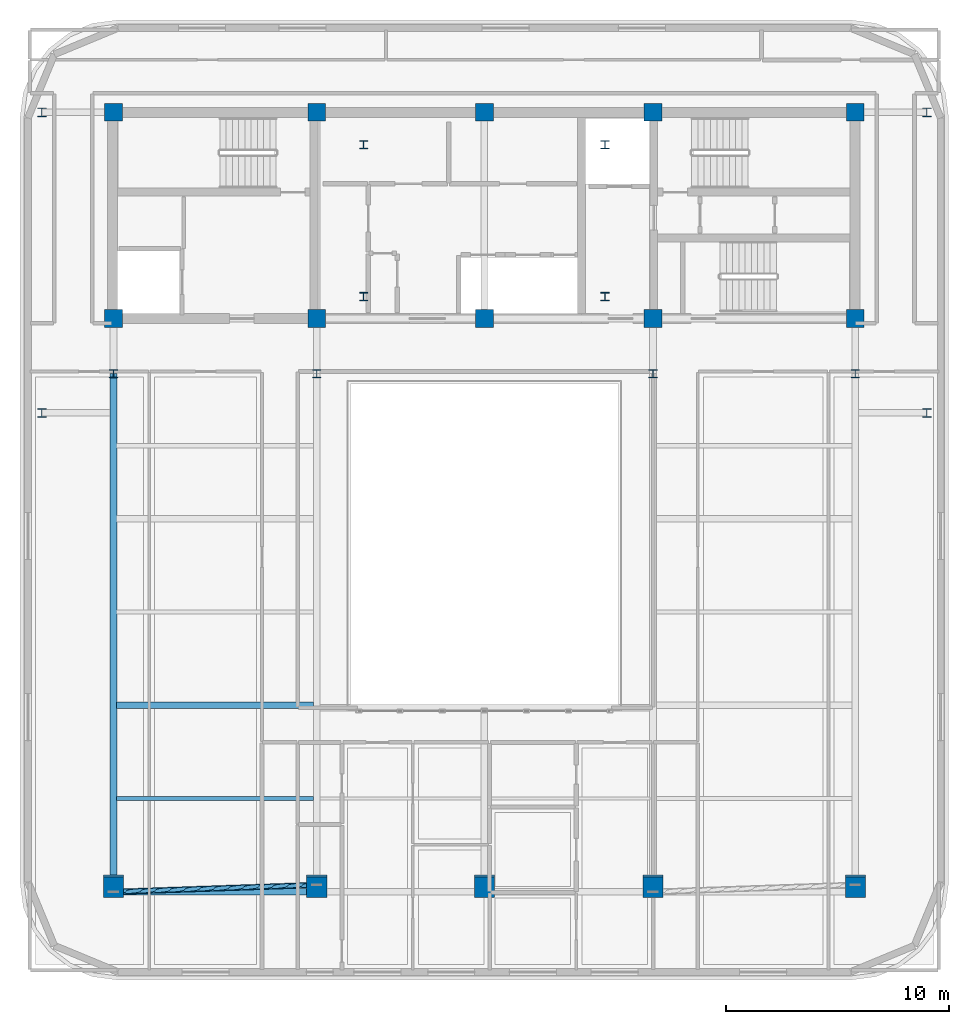
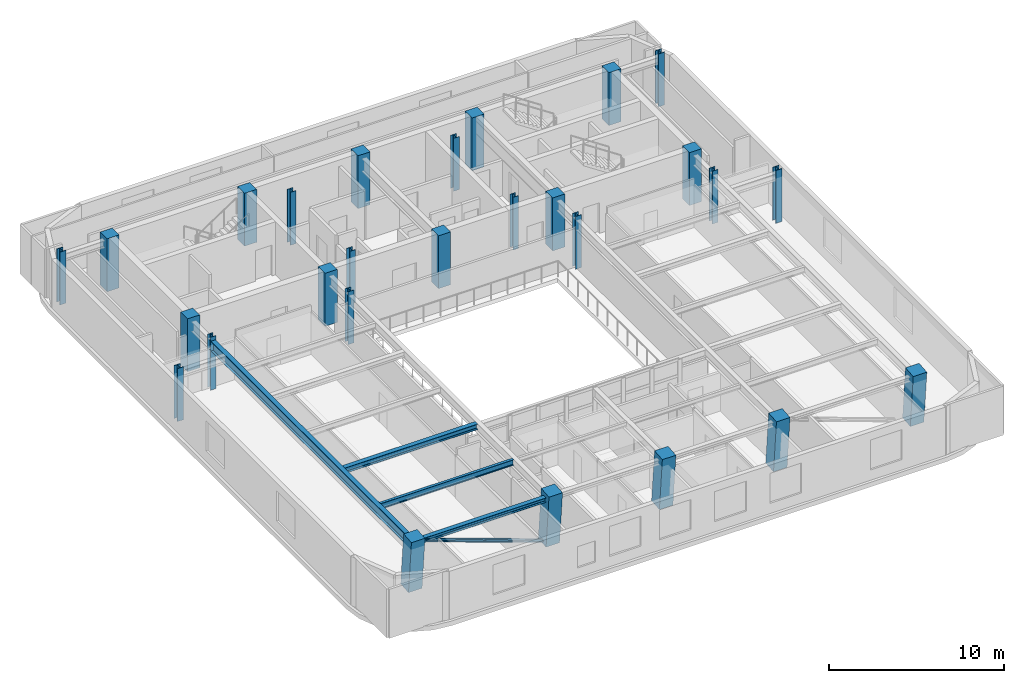
# One storey, part 1 of 11: 27 columns, 4 beams, 1 member.
"""IFC4 building model written with IfcOpenShell, lengths in metres."""

from ifc_helpers import new_model, si_unit, direction, frame, origin, origin_2d, place, context, subcontext, project, spatial, rectangle, hollow_circle, i_section, extrude, material, material_profile, profile_set, type_object, element, save


model = new_model("IFC4")

# Units and contexts
model_context = context("Model", 3, precision=1e-05, world=origin(), true_north=direction((0.0, 1.0)))
body_context = subcontext(model_context, "Body", "Model", "MODEL_VIEW")
ifc_project = project(units=[si_unit("LENGTHUNIT", "METRE"), si_unit("AREAUNIT", "SQUARE_METRE"), si_unit("VOLUMEUNIT", "CUBIC_METRE"), si_unit("PLANEANGLEUNIT", "RADIAN"), si_unit("MASSUNIT", "GRAM", prefix="KILO")], contexts=[model_context])

# Site, building, storey
site_placement = place(None, origin())
site = spatial("IfcSite", under=ifc_project, at=site_placement, CompositionType="ELEMENT")
building_placement = place(site_placement, origin())
building = spatial("IfcBuilding", under=site, at=building_placement, Name="Zarnavel Station Tower", CompositionType="ELEMENT")
storey_placement = place(building_placement, frame((0.0, 0.0, 262.10009765625)))
storey = spatial("IfcBuildingStorey", under=building, at=storey_placement, Name="L71", CompositionType="ELEMENT", Elevation=262.10009765625)

# Columns
ifc_material_1 = material(Name="Steel S355J2", Category="steel")
ifc_material_profile_1 = material_profile(ifc_material_1, i_section(OverallWidth=0.407958984375, OverallDepth=0.39990234375, WebThickness=0.02490234375, FlangeThickness=0.0390625, FilletRadius=0.014892578125, at=origin_2d()), Name="HD400x287")
ifc_profile_set_1 = profile_set([ifc_material_profile_1], Name="Steel S355J2")
column_type_1 = type_object("IfcColumnType", Name="EC_HD287", PredefinedType="COLUMN", material=ifc_profile_set_1)
for number, where, z_axis, x_axis, name in (
    (1, (9.0, 23.60009765625, 0.0), (0.0, 0.0, 1.0), (1.0, 0.0, 0.0), "L71 Inner Wing Spine Column 1-1"),
    (2, (9.0, 37.050048828125, 0.0), (0.0, 0.0, 1.0), (1.0, 0.0, 0.0), "L71 Inner Wing Spine Column 1-2"),
    (3, (48.60009765625, 23.60009765625, 0.0), (0.0, 0.0, 1.0), (1.0, 0.0, 0.0), "L71 Inner Wing Spine Column 2-1"),
    (4, (48.60009765625, 37.050048828125, 0.0), (0.0, 0.0, 1.0), (1.0, 0.0, 0.0), "L71 Inner Wing Spine Column 2-2"),
):
    element("IfcColumn", number, at=place(storey_placement, frame(where, z_axis=z_axis, x_axis=x_axis)), inside=storey, type_object=column_type_1, Name=name, PredefinedType="COLUMN", context=body_context, shape_type="SweptSolid", body=[
        extrude(i_section(OverallWidth=0.407958984375, OverallDepth=0.39990234375, WebThickness=0.02490234375, FlangeThickness=0.0390625, FilletRadius=0.014892578125, at=origin_2d()), origin(), (0.0, 0.0, 1.0), 3.699951171875),
    ])
ifc_material_2 = material(Name="Steel S355J2", Category="steel")
ifc_material_profile_2 = material_profile(ifc_material_2, i_section(OverallWidth=0.3740234375, OverallDepth=0.3720703125, WebThickness=0.0166015625, FlangeThickness=0.027099609375, FilletRadius=0.014892578125, at=origin_2d()), Name="HD360x196")
ifc_profile_set_2 = profile_set([ifc_material_profile_2], Name="Steel S355J2")
column_type_2 = type_object("IfcColumnType", Name="IC_HD196", PredefinedType="COLUMN", material=ifc_profile_set_2)
for number, where, z_axis, x_axis, name in (
    (5, (23.39990234375, 28.800048828125, 0.0), (0.0, 0.0, 1.0), (1.0, 0.0, 0.0), "L71 Mast Spine Column 1"),
    (6, (34.199951171875, 28.800048828125, 0.0), (0.0, 0.0, 1.0), (1.0, 0.0, 0.0), "L71 Mast Spine Column 2"),
    (7, (34.199951171875, 35.60009765625, 0.0), (0.0, 0.0, 1.0), (1.0, 0.0, 0.0), "L71 Mast Spine Column 3"),
    (8, (23.39990234375, 35.60009765625, 0.0), (0.0, 0.0, 1.0), (1.0, 0.0, 0.0), "L71 Mast Spine Column 4"),
    (9, (12.199951171875, 25.35009765625, 0.0), (0.0, 0.0, 1.0), (1.0, 0.0, 0.0), "L71 Inner Spine Column 1"),
    (10, (21.300048828125, 25.35009765625, 0.0), (0.0, 0.0, 1.0), (1.0, 0.0, 0.0), "L71 Inner Spine Column 2"),
    (11, (36.35009765625, 25.35009765625, 0.0), (0.0, 0.0, 1.0), (1.0, 0.0, 0.0), "L71 Inner Spine Column 4"),
    (12, (45.39990234375, 25.35009765625, 0.0), (0.0, 0.0, 1.0), (1.0, 0.0, 0.0), "L71 Inner Spine Column 5"),
):
    element("IfcColumn", number, at=place(storey_placement, frame(where, z_axis=z_axis, x_axis=x_axis)), inside=storey, type_object=column_type_2, Name=name, PredefinedType="COLUMN", context=body_context, shape_type="SweptSolid", body=[
        extrude(i_section(OverallWidth=0.3740234375, OverallDepth=0.3720703125, WebThickness=0.0166015625, FlangeThickness=0.027099609375, FilletRadius=0.014892578125, at=origin_2d()), origin(), (0.0, 0.0, 1.0), 3.699951171875),
    ])
ifc_material_3 = material(Name="Concrete C45/55", Category="concrete")
ifc_material_profile_3 = material_profile(ifc_material_3, rectangle(XDim=0.800048828125, YDim=0.800048828125, at=origin_2d()), Name="RC800x800")
ifc_profile_set_3 = profile_set([ifc_material_profile_3], Name="Concrete C45/55")
column_type_3 = type_object("IfcColumnType", Name="IC_RC800", PredefinedType="COLUMN", material=ifc_profile_set_3)
for number, where, z_axis, x_axis, name in (
    (13, (12.199951171875, 27.820068359375, 0.0), (0.0, 0.0, 1.0), (1.0, 0.0, 0.0), "L71 Core Spine Column 1-1"),
    (14, (12.199951171875, 37.050048828125, 0.0), (0.0, 0.0, 1.0), (1.0, 0.0, 0.0), "L71 Core Spine Column 1-2"),
    (15, (21.300048828125, 27.820068359375, 0.0), (0.0, 0.0, 1.0), (1.0, 0.0, 0.0), "L71 Core Spine Column 2-1"),
    (16, (21.300048828125, 37.050048828125, 0.0), (0.0, 0.0, 1.0), (1.0, 0.0, 0.0), "L71 Core Spine Column 2-2"),
    (17, (28.800048828125, 27.820068359375, 0.0), (0.0, 0.0, 1.0), (1.0, 0.0, 0.0), "L71 Core Spine Column 3-1"),
    (18, (28.800048828125, 37.050048828125, 0.0), (0.0, 0.0, 1.0), (1.0, 0.0, 0.0), "L71 Core Spine Column 3-2"),
    (19, (36.35009765625, 27.820068359375, 0.0), (0.0, 0.0, 1.0), (1.0, 0.0, 0.0), "L71 Core Spine Column 4-1"),
    (20, (36.35009765625, 37.050048828125, 0.0), (0.0, 0.0, 1.0), (1.0, 0.0, 0.0), "L71 Core Spine Column 4-2"),
    (21, (45.39990234375, 27.820068359375, 0.0), (0.0, 0.0, 1.0), (1.0, 0.0, 0.0), "L71 Core Spine Column 5-1"),
    (22, (45.39990234375, 37.050048828125, 0.0), (0.0, 0.0, 1.0), (1.0, 0.0, 0.0), "L71 Core Spine Column 5-2"),
):
    element("IfcColumn", number, at=place(storey_placement, frame(where, z_axis=z_axis, x_axis=x_axis)), inside=storey, type_object=column_type_3, Name=name, PredefinedType="COLUMN", context=body_context, shape_type="SweptSolid", body=[
        extrude(rectangle(XDim=0.800048828125, YDim=0.800048828125, at=origin_2d()), origin(), (0.0, 0.0, 1.0), 3.699951171875),
    ])
ifc_material_4 = material(Name="Concrete C50/60", Category="concrete")
ifc_material_profile_4 = material_profile(ifc_material_4, rectangle(XDim=0.89990234375, YDim=0.89990234375, at=origin_2d()), Name="RC900x900")
ifc_profile_set_4 = profile_set([ifc_material_profile_4], Name="Concrete C50/60")
column_type_4 = type_object("IfcColumnType", Name="MC_RC900", PredefinedType="COLUMN", material=ifc_profile_set_4)
for number, where, z_axis, x_axis, name in (
    (23, (12.199951171875, 2.4765625, 0.0), (0.0, -0.090292812226, 0.995915261486), (1.0, 0.0, 0.0), "L71 Raked South Mega-Column 1"),
    (24, (21.300048828125, 2.4765625, 0.0), (0.0, -0.090292812226, 0.995915261486), (1.0, 0.0, 0.0), "L71 Raked South Mega-Column 2"),
    (25, (28.800048828125, 2.4765625, 0.0), (0.0, -0.090292812226, 0.995915261486), (1.0, 0.0, 0.0), "L71 Raked South Mega-Column 3"),
    (26, (36.35009765625, 2.4765625, 0.0), (0.0, -0.090292812226, 0.995915261486), (1.0, 0.0, 0.0), "L71 Raked South Mega-Column 4"),
    (27, (45.39990234375, 2.4765625, 0.0), (0.0, -0.090292812226, 0.995915261486), (1.0, 0.0, 0.0), "L71 Raked South Mega-Column 5"),
):
    element("IfcColumn", number, at=place(storey_placement, frame(where, z_axis=z_axis, x_axis=x_axis)), inside=storey, type_object=column_type_4, Name=name, PredefinedType="COLUMN", context=body_context, shape_type="SweptSolid", body=[
        extrude(rectangle(XDim=0.89990234375, YDim=0.89990234375, at=origin_2d()), origin(), (0.0, 0.0, 1.0), 3.715087890625),
    ])

# Member
ifc_material_5 = material(Name="Steel S355J2", Category="steel")
ifc_material_profile_5 = material_profile(ifc_material_5, hollow_circle(Radius=0.122314453125, WallThickness=0.010009765625, at=origin_2d()), Name="CHS244.5x10")
ifc_profile_set_5 = profile_set([ifc_material_profile_5], Name="Steel S355J2")
member_type = type_object("IfcMemberType", Name="DB_EXT_CHS245", PredefinedType="BRACE", material=ifc_profile_set_5)
member_placement = place(storey_placement, frame((21.300048828125, 2.4765625, 0.0), z_axis=(-0.935603439572, -0.03187788722, 0.351610585972), x_axis=(0.034052247375, -0.999420054056, 0.0)))
element("IfcMember", 28, at=member_placement, inside=storey, type_object=member_type, Name="L71 Persian Exterior Diagonal Frame Brace 1", PredefinedType="BRACE", context=body_context, shape_type="SweptSolid", body=[
    extrude(hollow_circle(Radius=0.122314453125, WallThickness=0.010009765625, at=origin_2d()), origin(), (0.0, 0.0, 1.0), 9.7265625),
])

# Beams
ifc_material_6 = material(Name="Steel S355J2", Category="steel")
ifc_material_profile_6 = material_profile(ifc_material_6, i_section(OverallWidth=0.300048828125, OverallDepth=0.320068359375, WebThickness=0.011474609375, FlangeThickness=0.0205078125, FilletRadius=0.027099609375, at=origin_2d()), Name="HEB320")
ifc_profile_set_6 = profile_set([ifc_material_profile_6], Name="Steel S355J2")
beam_type_1 = type_object("IfcBeamType", Name="EB_HEB320", PredefinedType="SPANDREL", material=ifc_profile_set_6)
beam_1_placement = place(storey_placement, frame((12.199951171875, 2.16650390625, 3.260009765625), z_axis=(1.0, 0.0, 0.0), x_axis=(0.0, 1.0, 0.0)))
element("IfcBeam", 29, at=beam_1_placement, inside=storey, type_object=beam_type_1, Name="L71 South Raked Spandrel 1", PredefinedType="SPANDREL", context=body_context, shape_type="SweptSolid", body=[
    extrude(i_section(OverallWidth=0.300048828125, OverallDepth=0.320068359375, WebThickness=0.011474609375, FlangeThickness=0.0205078125, FilletRadius=0.027099609375, at=origin_2d()), origin(), (0.0, 0.0, 1.0), 9.10009765625),
])
ifc_material_7 = material(Name="Steel S355J2", Category="steel")
ifc_material_profile_7 = material_profile(ifc_material_7, i_section(OverallWidth=0.300048828125, OverallDepth=0.389892578125, WebThickness=0.010986328125, FlangeThickness=0.01904296875, FilletRadius=0.027099609375, at=origin_2d()), Name="HEA400")
ifc_profile_set_7 = profile_set([ifc_material_profile_7], Name="Steel S355J2")
beam_type_2 = type_object("IfcBeamType", Name="FB_HEA400", PredefinedType="BEAM", material=ifc_profile_set_7)
beam_2_placement = place(storey_placement, frame((12.344970703125, 10.510986328125, 3.224853515625), z_axis=(1.0, 0.0, 0.0), x_axis=(0.0, 1.0, 0.0)))
element("IfcBeam", 30, at=beam_2_placement, inside=storey, type_object=beam_type_2, Name="L71 West Bay Beam 2", PredefinedType="BEAM", context=body_context, shape_type="SweptSolid", body=[
    extrude(i_section(OverallWidth=0.300048828125, OverallDepth=0.389892578125, WebThickness=0.010986328125, FlangeThickness=0.01904296875, FilletRadius=0.027099609375, at=origin_2d()), origin(), (0.0, 0.0, 1.0), 8.81005859375),
])
ifc_material_8 = material(Name="Steel S355J2", Category="steel")
ifc_material_profile_8 = material_profile(ifc_material_8, i_section(OverallWidth=0.179931640625, OverallDepth=0.39990234375, WebThickness=0.008544921875, FlangeThickness=0.013427734375, FilletRadius=0.02099609375, at=origin_2d()), Name="IPE400")
ifc_profile_set_8 = profile_set([ifc_material_profile_8], Name="Steel S355J2")
beam_type_3 = type_object("IfcBeamType", Name="FB_IPE400", PredefinedType="BEAM", material=ifc_profile_set_8)
beam_3_placement = place(storey_placement, frame((12.344970703125, 6.3388671875, 3.219970703125), z_axis=(1.0, 0.0, 0.0), x_axis=(0.0, 1.0, 0.0)))
element("IfcBeam", 31, at=beam_3_placement, inside=storey, type_object=beam_type_3, Name="L71 West Bay Beam 1", PredefinedType="BEAM", context=body_context, shape_type="SweptSolid", body=[
    extrude(i_section(OverallWidth=0.179931640625, OverallDepth=0.39990234375, WebThickness=0.008544921875, FlangeThickness=0.013427734375, FilletRadius=0.02099609375, at=origin_2d()), origin(), (0.0, 0.0, 1.0), 8.81005859375),
])
ifc_material_9 = material(Name="Steel S355J2", Category="steel")
ifc_material_profile_9 = material_profile(ifc_material_9, i_section(OverallWidth=0.300048828125, OverallDepth=0.699951171875, WebThickness=0.01708984375, FlangeThickness=0.031982421875, FilletRadius=0.027099609375, at=origin_2d()), Name="HEB700")
ifc_profile_set_9 = profile_set([ifc_material_profile_9], Name="Steel S355J2")
beam_type_4 = type_object("IfcBeamType", Name="FG_HEB700", PredefinedType="USERDEFINED", material=ifc_profile_set_9)
beam_4_placement = place(storey_placement, frame((12.199951171875, 2.16650390625, 3.06982421875), z_axis=(0.0, 1.0, 0.0), x_axis=(-1.0, 0.0, 0.0)))
element("IfcBeam", 32, at=beam_4_placement, inside=storey, type_object=beam_type_4, Name="L71 South-Zone NS Girder 1", ObjectType="GIRDER", PredefinedType="USERDEFINED", context=body_context, shape_type="SweptSolid", body=[
    extrude(i_section(OverallWidth=0.300048828125, OverallDepth=0.699951171875, WebThickness=0.01708984375, FlangeThickness=0.031982421875, FilletRadius=0.027099609375, at=origin_2d()), origin(), (0.0, 0.0, 1.0), 23.18359375),
])

save(model, "model.ifc")
